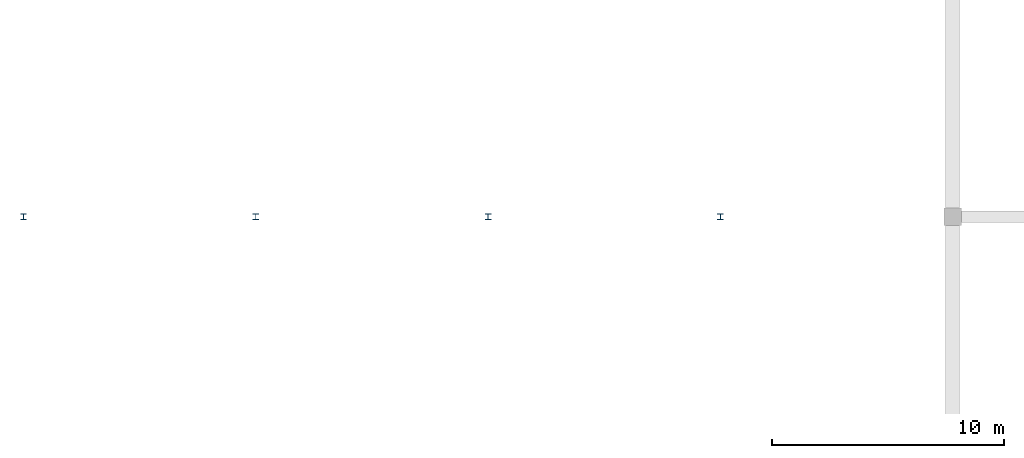
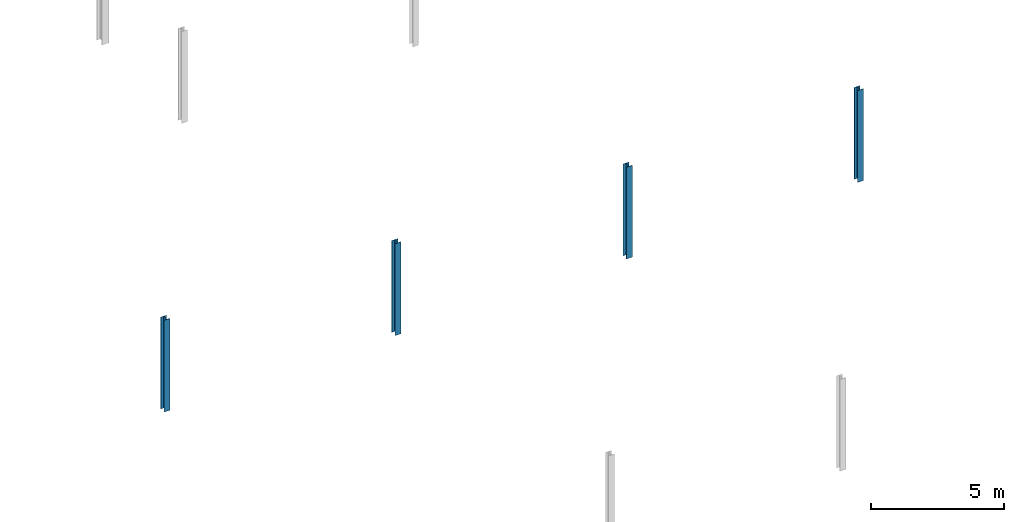
# One storey, part 2 of 100: 4 columns.
"""IFC4 building model written with IfcOpenShell, lengths in metres."""

from ifc_helpers import new_model, si_unit, direction, frame, origin, origin_2d, place, context, subcontext, project, spatial, i_section, extrude, material, material_profile, profile_set, type_object, element, save


model = new_model("IFC4")

# Units and contexts
model_context = context("Model", 3, precision=1e-05, world=origin(), true_north=direction((0.0, 1.0)))
body_context = subcontext(model_context, "Body", "Model", "MODEL_VIEW")
ifc_project = project(units=[si_unit("LENGTHUNIT", "METRE"), si_unit("AREAUNIT", "SQUARE_METRE"), si_unit("VOLUMEUNIT", "CUBIC_METRE"), si_unit("PLANEANGLEUNIT", "RADIAN"), si_unit("MASSUNIT", "GRAM", prefix="KILO")], contexts=[model_context])

# Site, building, storey
site_placement = place(None, origin())
site = spatial("IfcSite", under=ifc_project, at=site_placement, CompositionType="ELEMENT")
building_placement = place(site_placement, origin())
building = spatial("IfcBuilding", under=site, at=building_placement, Name="Kivolera Central Railway Station", CompositionType="ELEMENT")
storey_placement = place(building_placement, frame((0.0, 0.0, 5.39990234375)))
storey = spatial("IfcBuildingStorey", under=building, at=storey_placement, Name="L01", CompositionType="ELEMENT", Elevation=5.39990234375)

# Columns
ifc_material = material(Name="Steel S355", Category="steel")
ifc_material_profile = material_profile(ifc_material, i_section(OverallWidth=0.25634765625, OverallDepth=0.26025390625, WebThickness=0.01025390625, FlangeThickness=0.017333984375, FilletRadius=0.0126953125, at=origin_2d()), Name="UC 254x254x89")
ifc_profile_set = profile_set([ifc_material_profile], Name="Steel S355")
column_type = type_object("IfcColumnType", Name="COL-STL-UC254", PredefinedType="COLUMN", material=ifc_profile_set)
for number, where, z_axis, x_axis, name in (
    (1, (8.0, 32.0, 0.0), (0.0, 0.0, 1.0), (1.0, 0.0, 0.0), "L01 Train Shed Column 1-C"),
    (2, (18.0, 32.0, 0.0), (0.0, 0.0, 1.0), (1.0, 0.0, 0.0), "L01 Train Shed Column 2-C"),
    (3, (28.0, 32.0, 0.0), (0.0, 0.0, 1.0), (1.0, 0.0, 0.0), "L01 Train Shed Column 3-C"),
    (4, (38.0, 32.0, 0.0), (0.0, 0.0, 1.0), (1.0, 0.0, 0.0), "L01 Train Shed Column 4-C"),
):
    element("IfcColumn", number, at=place(storey_placement, frame(where, z_axis=z_axis, x_axis=x_axis)), inside=storey, type_object=column_type, Name=name, PredefinedType="COLUMN", context=body_context, shape_type="SweptSolid", body=[
        extrude(i_section(OverallWidth=0.25634765625, OverallDepth=0.26025390625, WebThickness=0.01025390625, FlangeThickness=0.017333984375, FilletRadius=0.0126953125, at=origin_2d()), origin(), (0.0, 0.0, 1.0), 4.2001953125),
    ])

save(model, "model.ifc")
